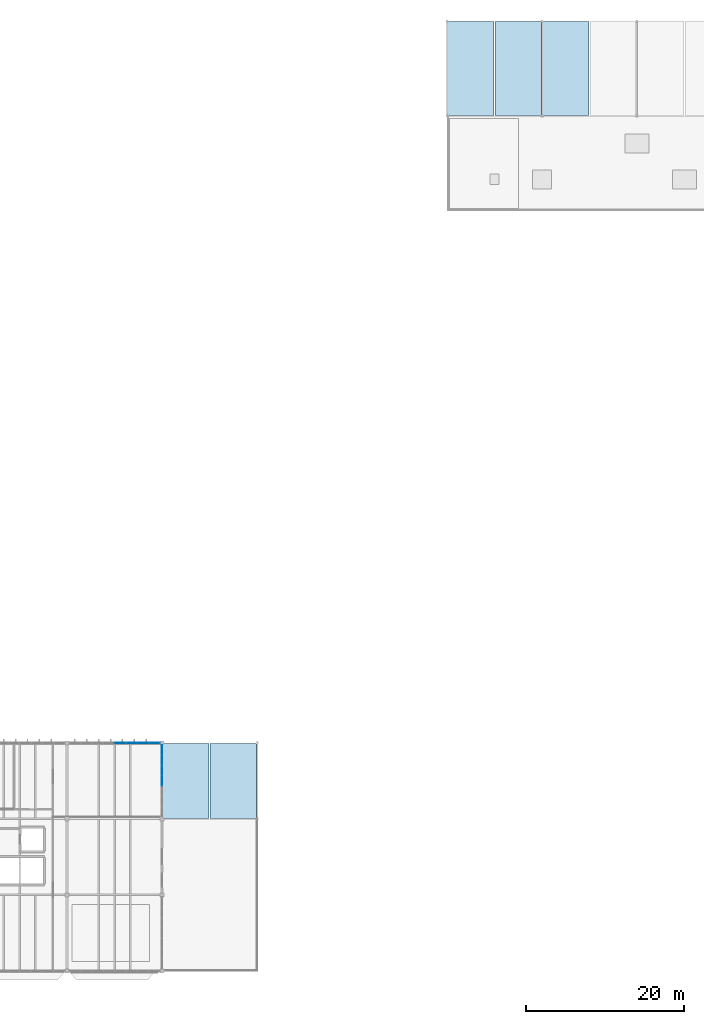
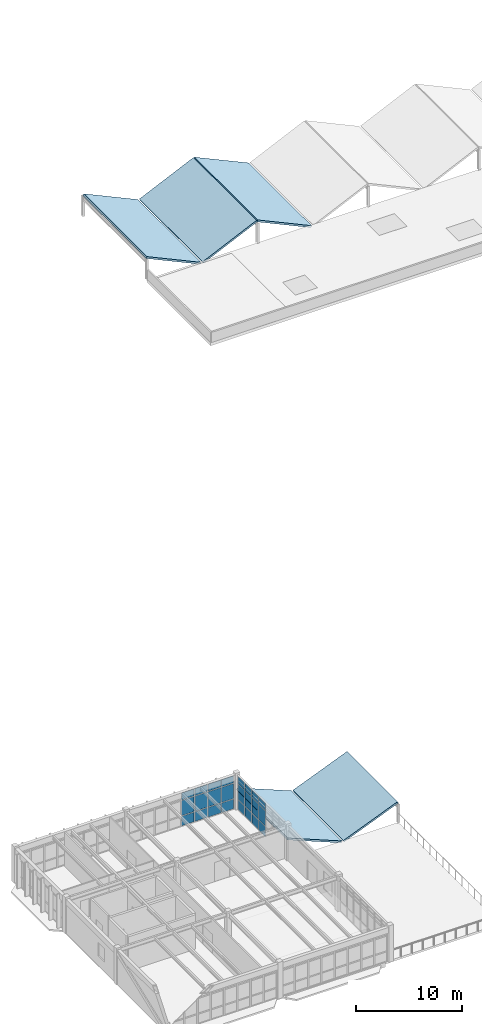
# One storey, part 61 of 83: 24 plates, 5 slabs, 2 elements without a shape of their own.
"""IFC4 building model written with IfcOpenShell, lengths in metres."""

from ifc_helpers import new_model, si_unit, direction, frame, origin, origin_2d, place, context, subcontext, project, spatial, polyline, rectangle, outline, extrude, material, layer, layer_set, type_object, element, aggregate, save


model = new_model("IFC4")

# Units and contexts
model_context = context("Model", 3, precision=1e-05, world=origin(), true_north=direction((0.0, 1.0)))
body_context = subcontext(model_context, "Body", "Model", "MODEL_VIEW")
ifc_project = project(units=[si_unit("LENGTHUNIT", "METRE"), si_unit("AREAUNIT", "SQUARE_METRE"), si_unit("VOLUMEUNIT", "CUBIC_METRE"), si_unit("PLANEANGLEUNIT", "RADIAN"), si_unit("MASSUNIT", "GRAM", prefix="KILO")], contexts=[model_context])

# Site, building, storey
site_placement = place(None, origin())
site = spatial("IfcSite", under=ifc_project, at=site_placement, CompositionType="ELEMENT")
building_placement = place(site_placement, origin())
building = spatial("IfcBuilding", under=site, at=building_placement, Name="Pandanus Reach Market Hall", CompositionType="ELEMENT")
storey_placement = place(building_placement, frame((0.0, 0.0, 10.199951171875)))
storey = spatial("IfcBuildingStorey", under=building, at=storey_placement, Name="L02", CompositionType="ELEMENT", Elevation=10.199951171875)

# Curtain wall, plates
ifc_material_1 = material(Name="Bronze anodised aluminium and low-E glass", Category="aluminium")
ifc_layer_1 = layer(ifc_material_1, 0.159912109375, Name="CW-22")
ifc_layer_set_1 = layer_set([ifc_layer_1], Name="Bronze anodised aluminium and low-E glass")
curtain_wall_type_1 = type_object("IfcCurtainWallType", Name="CW-22", PredefinedType="NOTDEFINED", material=ifc_layer_set_1)
curtain_wall_1_placement = place(storey_placement, origin())
curtain_wall_1 = element("IfcCurtainWall", 1, at=curtain_wall_1_placement, inside=storey, type_object=curtain_wall_type_1, Name="Glazed curtain wall CW-22 CW-0066", PredefinedType="NOTDEFINED")
ifc_material_2 = material(Name="Solar-control double glazing", Category="glass")
ifc_layer_2 = layer(ifc_material_2, 0.028076171875, Name="CW-P1")
ifc_layer_set_2 = layer_set([ifc_layer_2], Name="Solar-control double glazing")
plate_type = type_object("IfcPlateType", Name="CW-P1", PredefinedType="CURTAIN_PANEL", material=ifc_layer_set_2)
plate_1_placement = place(storey_placement, frame((18.71875, 28.800048828125, 0.06494140625), z_axis=(0.0, 0.0, 1.0), x_axis=(1.0, 0.0, 0.0)))
plate_1 = element("IfcPlate", 2, at=plate_1_placement, type_object=plate_type, Name="CW-22 panel 5.1", PredefinedType="CURTAIN_PANEL", context=body_context, shape_type="SweptSolid", body=[
    extrude(rectangle(XDim=1.37255859375, YDim=0.028076171875, at=origin_2d()), origin(), (0.0, 0.0, 1.0), 1.1025390625),
])
plate_2_placement = place(storey_placement, frame((18.71875, 28.800048828125, 1.232421875), z_axis=(0.0, 0.0, 1.0), x_axis=(1.0, 0.0, 0.0)))
plate_2 = element("IfcPlate", 3, at=plate_2_placement, type_object=plate_type, Name="CW-22 panel 5.2", PredefinedType="CURTAIN_PANEL", context=body_context, shape_type="SweptSolid", body=[
    extrude(rectangle(XDim=1.37255859375, YDim=0.028076171875, at=origin_2d()), origin(), (0.0, 0.0, 1.0), 1.735107421875),
])
plate_3_placement = place(storey_placement, frame((18.71875, 28.800048828125, 3.03271484375), z_axis=(0.0, 0.0, 1.0), x_axis=(1.0, 0.0, 0.0)))
plate_3 = element("IfcPlate", 4, at=plate_3_placement, type_object=plate_type, Name="CW-22 panel 5.3", PredefinedType="CURTAIN_PANEL", context=body_context, shape_type="SweptSolid", body=[
    extrude(rectangle(XDim=1.37255859375, YDim=0.028076171875, at=origin_2d()), origin(), (0.0, 0.0, 1.0), 0.802490234375),
])
plate_4_placement = place(storey_placement, frame((20.15625, 28.800048828125, 0.06494140625), z_axis=(0.0, 0.0, 1.0), x_axis=(1.0, 0.0, 0.0)))
plate_4 = element("IfcPlate", 5, at=plate_4_placement, type_object=plate_type, Name="CW-22 panel 6.1", PredefinedType="CURTAIN_PANEL", context=body_context, shape_type="SweptSolid", body=[
    extrude(rectangle(XDim=1.37255859375, YDim=0.028076171875, at=origin_2d()), origin(), (0.0, 0.0, 1.0), 1.1025390625),
])
plate_5_placement = place(storey_placement, frame((20.15625, 28.800048828125, 1.232421875), z_axis=(0.0, 0.0, 1.0), x_axis=(1.0, 0.0, 0.0)))
plate_5 = element("IfcPlate", 6, at=plate_5_placement, type_object=plate_type, Name="CW-22 panel 6.2", PredefinedType="CURTAIN_PANEL", context=body_context, shape_type="SweptSolid", body=[
    extrude(rectangle(XDim=1.37255859375, YDim=0.028076171875, at=origin_2d()), origin(), (0.0, 0.0, 1.0), 1.735107421875),
])
plate_6_placement = place(storey_placement, frame((20.15625, 28.800048828125, 3.03271484375), z_axis=(0.0, 0.0, 1.0), x_axis=(1.0, 0.0, 0.0)))
plate_6 = element("IfcPlate", 7, at=plate_6_placement, type_object=plate_type, Name="CW-22 panel 6.3", PredefinedType="CURTAIN_PANEL", context=body_context, shape_type="SweptSolid", body=[
    extrude(rectangle(XDim=1.37255859375, YDim=0.028076171875, at=origin_2d()), origin(), (0.0, 0.0, 1.0), 0.802490234375),
])
plate_7_placement = place(storey_placement, frame((21.59375, 28.800048828125, 0.06494140625), z_axis=(0.0, 0.0, 1.0), x_axis=(1.0, 0.0, 0.0)))
plate_7 = element("IfcPlate", 8, at=plate_7_placement, type_object=plate_type, Name="CW-22 panel 7.1", PredefinedType="CURTAIN_PANEL", context=body_context, shape_type="SweptSolid", body=[
    extrude(rectangle(XDim=1.37255859375, YDim=0.028076171875, at=origin_2d()), origin(), (0.0, 0.0, 1.0), 1.1025390625),
])
plate_8_placement = place(storey_placement, frame((21.59375, 28.800048828125, 1.232421875), z_axis=(0.0, 0.0, 1.0), x_axis=(1.0, 0.0, 0.0)))
plate_8 = element("IfcPlate", 9, at=plate_8_placement, type_object=plate_type, Name="CW-22 panel 7.2", PredefinedType="CURTAIN_PANEL", context=body_context, shape_type="SweptSolid", body=[
    extrude(rectangle(XDim=1.37255859375, YDim=0.028076171875, at=origin_2d()), origin(), (0.0, 0.0, 1.0), 1.735107421875),
])
plate_9_placement = place(storey_placement, frame((21.59375, 28.800048828125, 3.03271484375), z_axis=(0.0, 0.0, 1.0), x_axis=(1.0, 0.0, 0.0)))
plate_9 = element("IfcPlate", 10, at=plate_9_placement, type_object=plate_type, Name="CW-22 panel 7.3", PredefinedType="CURTAIN_PANEL", context=body_context, shape_type="SweptSolid", body=[
    extrude(rectangle(XDim=1.37255859375, YDim=0.028076171875, at=origin_2d()), origin(), (0.0, 0.0, 1.0), 0.802490234375),
])
plate_10_placement = place(storey_placement, frame((23.014892578125, 28.800048828125, 0.06494140625), z_axis=(0.0, 0.0, 1.0), x_axis=(1.0, 0.0, 0.0)))
plate_10 = element("IfcPlate", 11, at=plate_10_placement, type_object=plate_type, Name="CW-22 panel 8.1", PredefinedType="CURTAIN_PANEL", context=body_context, shape_type="SweptSolid", body=[
    extrude(rectangle(XDim=1.340087890625, YDim=0.028076171875, at=origin_2d()), origin(), (0.0, 0.0, 1.0), 1.1025390625),
])
plate_11_placement = place(storey_placement, frame((23.014892578125, 28.800048828125, 1.232421875), z_axis=(0.0, 0.0, 1.0), x_axis=(1.0, 0.0, 0.0)))
plate_11 = element("IfcPlate", 12, at=plate_11_placement, type_object=plate_type, Name="CW-22 panel 8.2", PredefinedType="CURTAIN_PANEL", context=body_context, shape_type="SweptSolid", body=[
    extrude(rectangle(XDim=1.340087890625, YDim=0.028076171875, at=origin_2d()), origin(), (0.0, 0.0, 1.0), 1.735107421875),
])
plate_12_placement = place(storey_placement, frame((23.014892578125, 28.800048828125, 3.03271484375), z_axis=(0.0, 0.0, 1.0), x_axis=(1.0, 0.0, 0.0)))
plate_12 = element("IfcPlate", 13, at=plate_12_placement, type_object=plate_type, Name="CW-22 panel 8.3", PredefinedType="CURTAIN_PANEL", context=body_context, shape_type="SweptSolid", body=[
    extrude(rectangle(XDim=1.340087890625, YDim=0.028076171875, at=origin_2d()), origin(), (0.0, 0.0, 1.0), 0.802490234375),
])
aggregate(curtain_wall_1, [plate_1, plate_2, plate_3, plate_4, plate_5, plate_6, plate_7, plate_8, plate_9, plate_10, plate_11, plate_12])

ifc_layer_3 = layer(ifc_material_1, 0.159912109375, Name="CW-24")
ifc_layer_set_3 = layer_set([ifc_layer_3], Name="Bronze anodised aluminium and low-E glass")
curtain_wall_type_2 = type_object("IfcCurtainWallType", Name="CW-24", PredefinedType="NOTDEFINED", material=ifc_layer_set_3)
curtain_wall_2_placement = place(storey_placement, origin())
curtain_wall_2 = element("IfcCurtainWall", 14, at=curtain_wall_2_placement, inside=storey, type_object=curtain_wall_type_2, Name="Glazed curtain wall CW-24 CW-0069", PredefinedType="NOTDEFINED")
plate_13_placement = place(storey_placement, frame((24.0, 24.0, 0.06494140625), z_axis=(0.0, 0.0, 1.0), x_axis=(0.0, 1.0, 0.0)))
plate_13 = element("IfcPlate", 15, at=plate_13_placement, type_object=plate_type, Name="CW-24 panel 4.1", PredefinedType="CURTAIN_PANEL", context=body_context, shape_type="SweptSolid", body=[
    extrude(rectangle(XDim=1.235107421875, YDim=0.028076171875, at=origin_2d()), origin(), (0.0, 0.0, 1.0), 1.1025390625),
])
plate_14_placement = place(storey_placement, frame((24.0, 24.0, 1.232421875), z_axis=(0.0, 0.0, 1.0), x_axis=(0.0, 1.0, 0.0)))
plate_14 = element("IfcPlate", 16, at=plate_14_placement, type_object=plate_type, Name="CW-24 panel 4.2", PredefinedType="CURTAIN_PANEL", context=body_context, shape_type="SweptSolid", body=[
    extrude(rectangle(XDim=1.235107421875, YDim=0.028076171875, at=origin_2d()), origin(), (0.0, 0.0, 1.0), 1.735107421875),
])
plate_15_placement = place(storey_placement, frame((24.0, 24.0, 3.03271484375), z_axis=(0.0, 0.0, 1.0), x_axis=(0.0, 1.0, 0.0)))
plate_15 = element("IfcPlate", 17, at=plate_15_placement, type_object=plate_type, Name="CW-24 panel 4.3", PredefinedType="CURTAIN_PANEL", context=body_context, shape_type="SweptSolid", body=[
    extrude(rectangle(XDim=1.235107421875, YDim=0.028076171875, at=origin_2d()), origin(), (0.0, 0.0, 1.0), 0.802490234375),
])
plate_16_placement = place(storey_placement, frame((24.0, 25.300048828125, 0.06494140625), z_axis=(0.0, 0.0, 1.0), x_axis=(0.0, 1.0, 0.0)))
plate_16 = element("IfcPlate", 18, at=plate_16_placement, type_object=plate_type, Name="CW-24 panel 5.1", PredefinedType="CURTAIN_PANEL", context=body_context, shape_type="SweptSolid", body=[
    extrude(rectangle(XDim=1.235107421875, YDim=0.028076171875, at=origin_2d()), origin(), (0.0, 0.0, 1.0), 1.1025390625),
])
plate_17_placement = place(storey_placement, frame((24.0, 25.300048828125, 1.232421875), z_axis=(0.0, 0.0, 1.0), x_axis=(0.0, 1.0, 0.0)))
plate_17 = element("IfcPlate", 19, at=plate_17_placement, type_object=plate_type, Name="CW-24 panel 5.2", PredefinedType="CURTAIN_PANEL", context=body_context, shape_type="SweptSolid", body=[
    extrude(rectangle(XDim=1.235107421875, YDim=0.028076171875, at=origin_2d()), origin(), (0.0, 0.0, 1.0), 1.735107421875),
])
plate_18_placement = place(storey_placement, frame((24.0, 25.300048828125, 3.03271484375), z_axis=(0.0, 0.0, 1.0), x_axis=(0.0, 1.0, 0.0)))
plate_18 = element("IfcPlate", 20, at=plate_18_placement, type_object=plate_type, Name="CW-24 panel 5.3", PredefinedType="CURTAIN_PANEL", context=body_context, shape_type="SweptSolid", body=[
    extrude(rectangle(XDim=1.235107421875, YDim=0.028076171875, at=origin_2d()), origin(), (0.0, 0.0, 1.0), 0.802490234375),
])
plate_19_placement = place(storey_placement, frame((24.0, 26.60009765625, 0.06494140625), z_axis=(0.0, 0.0, 1.0), x_axis=(0.0, 1.0, 0.0)))
plate_19 = element("IfcPlate", 21, at=plate_19_placement, type_object=plate_type, Name="CW-24 panel 6.1", PredefinedType="CURTAIN_PANEL", context=body_context, shape_type="SweptSolid", body=[
    extrude(rectangle(XDim=1.235107421875, YDim=0.028076171875, at=origin_2d()), origin(), (0.0, 0.0, 1.0), 1.1025390625),
])
plate_20_placement = place(storey_placement, frame((24.0, 26.60009765625, 1.232421875), z_axis=(0.0, 0.0, 1.0), x_axis=(0.0, 1.0, 0.0)))
plate_20 = element("IfcPlate", 22, at=plate_20_placement, type_object=plate_type, Name="CW-24 panel 6.2", PredefinedType="CURTAIN_PANEL", context=body_context, shape_type="SweptSolid", body=[
    extrude(rectangle(XDim=1.235107421875, YDim=0.028076171875, at=origin_2d()), origin(), (0.0, 0.0, 1.0), 1.735107421875),
])
plate_21_placement = place(storey_placement, frame((24.0, 26.60009765625, 3.03271484375), z_axis=(0.0, 0.0, 1.0), x_axis=(0.0, 1.0, 0.0)))
plate_21 = element("IfcPlate", 23, at=plate_21_placement, type_object=plate_type, Name="CW-24 panel 6.3", PredefinedType="CURTAIN_PANEL", context=body_context, shape_type="SweptSolid", body=[
    extrude(rectangle(XDim=1.235107421875, YDim=0.028076171875, at=origin_2d()), origin(), (0.0, 0.0, 1.0), 0.802490234375),
])
plate_22_placement = place(storey_placement, frame((24.0, 27.8837890625, 0.06494140625), z_axis=(0.0, 0.0, 1.0), x_axis=(0.0, 1.0, 0.0)))
plate_22 = element("IfcPlate", 24, at=plate_22_placement, type_object=plate_type, Name="CW-24 panel 7.1", PredefinedType="CURTAIN_PANEL", context=body_context, shape_type="SweptSolid", body=[
    extrude(rectangle(XDim=1.202392578125, YDim=0.028076171875, at=origin_2d()), origin(), (0.0, 0.0, 1.0), 1.1025390625),
])
plate_23_placement = place(storey_placement, frame((24.0, 27.8837890625, 1.232421875), z_axis=(0.0, 0.0, 1.0), x_axis=(0.0, 1.0, 0.0)))
plate_23 = element("IfcPlate", 25, at=plate_23_placement, type_object=plate_type, Name="CW-24 panel 7.2", PredefinedType="CURTAIN_PANEL", context=body_context, shape_type="SweptSolid", body=[
    extrude(rectangle(XDim=1.202392578125, YDim=0.028076171875, at=origin_2d()), origin(), (0.0, 0.0, 1.0), 1.735107421875),
])
plate_24_placement = place(storey_placement, frame((24.0, 27.8837890625, 3.03271484375), z_axis=(0.0, 0.0, 1.0), x_axis=(0.0, 1.0, 0.0)))
plate_24 = element("IfcPlate", 26, at=plate_24_placement, type_object=plate_type, Name="CW-24 panel 7.3", PredefinedType="CURTAIN_PANEL", context=body_context, shape_type="SweptSolid", body=[
    extrude(rectangle(XDim=1.202392578125, YDim=0.028076171875, at=origin_2d()), origin(), (0.0, 0.0, 1.0), 0.802490234375),
])
aggregate(curtain_wall_2, [plate_13, plate_14, plate_15, plate_16, plate_17, plate_18, plate_19, plate_20, plate_21, plate_22, plate_23, plate_24])

# Slabs
ifc_material_3 = material(Name="Concrete N50 (50 MPa)", Category="concrete")
ifc_layer_4 = layer(ifc_material_3, 0.205078125, Name="RF-BFY-205")
ifc_layer_set_4 = layer_set([ifc_layer_4], Name="Concrete N50 (50 MPa)")
slab_type = type_object("IfcSlabType", Name="RF-BFY-205", PredefinedType="ROOF", material=ifc_layer_set_4)
for number, where, z_axis, x_axis, name in (
    (27, (24.050048828125, 19.25, 2.35009765625), (0.377121903992, 0.0, 0.926163629997), (0.926163629997, 0.0, -0.377121903992), "Food court lower pavilion shell W"),
    (28, (30.080078125, 19.25, -0.0400390625), (-0.377121903992, 0.0, 0.926163629997), (0.926163629997, 0.0, 0.377121903992), "Food court lower pavilion shell E"),
):
    element("IfcSlab", number, at=place(storey_placement, frame(where, z_axis=z_axis, x_axis=x_axis)), inside=storey, type_object=slab_type, Name=name, PredefinedType="ROOF", context=body_context, shape_type="SweptSolid", body=[
        extrude(outline(polyline([(0.0, 0.0), (6.337835838892218, 0.0), (6.337835838892218, 9.5), (0.0, 9.5), (0.0, 0.0)])), origin(), (0.0, 0.0, -1.0), 0.205078125),
    ])
for number, where, z_axis, x_axis, name in (
    (29, (60.06005859375, 108.06005859375, 2.550048828125), (0.419748690861, 0.0, 0.907640367392), (0.907640367392, 0.0, -0.419748690861), "Service hall butterfly shell roof V5W.1W"),
    (30, (66.080078125, 108.06005859375, -0.159912109375), (-0.419748690861, 0.0, 0.907640367392), (0.907640367392, 0.0, 0.419748690861), "Service hall butterfly shell roof V5W.1E"),
    (31, (72.06005859375, 108.06005859375, 2.550048828125), (0.419748690861, 0.0, 0.907640367392), (0.907640367392, 0.0, -0.419748690861), "Service hall butterfly shell roof V5W.2W"),
):
    element("IfcSlab", number, at=place(storey_placement, frame(where, z_axis=z_axis, x_axis=x_axis)), inside=storey, type_object=slab_type, Name=name, PredefinedType="ROOF", context=body_context, shape_type="SweptSolid", body=[
        extrude(outline(polyline([(0.0, 0.0), (6.456151017263916, 0.0), (6.456151017263916, 11.8798828125), (0.0, 11.8798828125), (0.0, 0.0)])), origin(), (0.0, 0.0, -1.0), 0.205078125),
    ])

save(model, "model.ifc")
